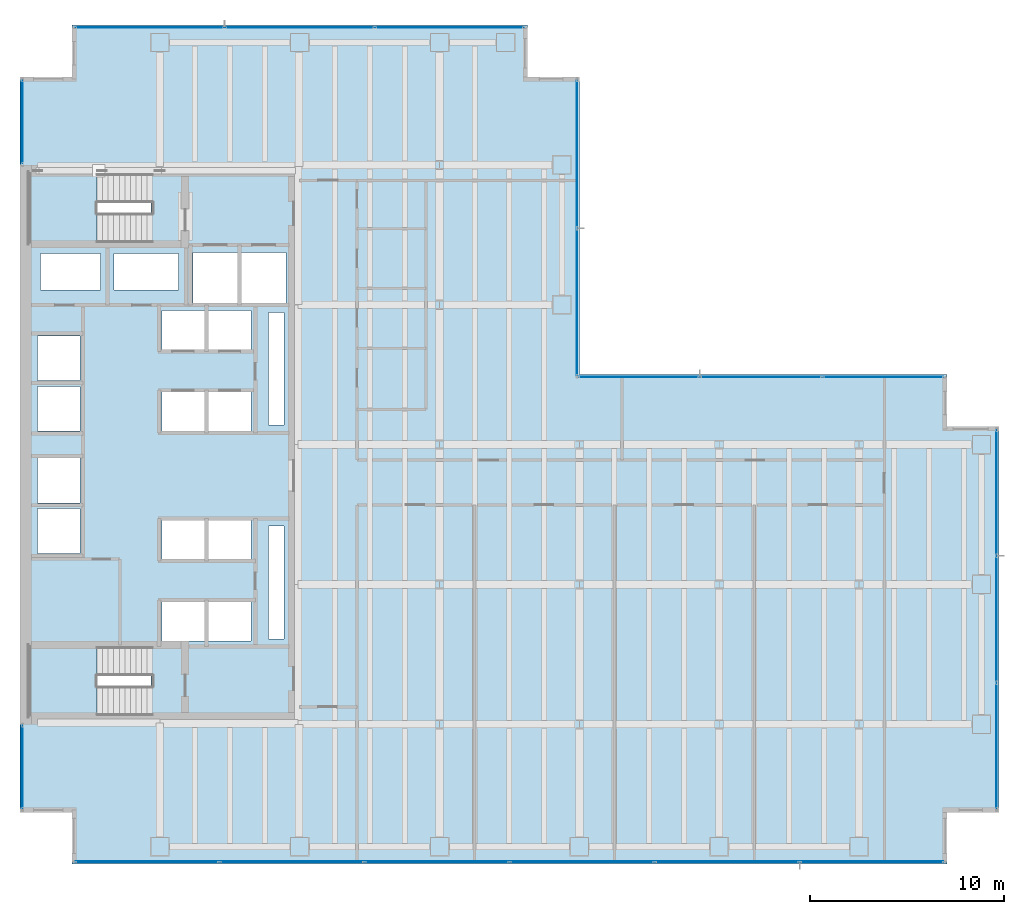
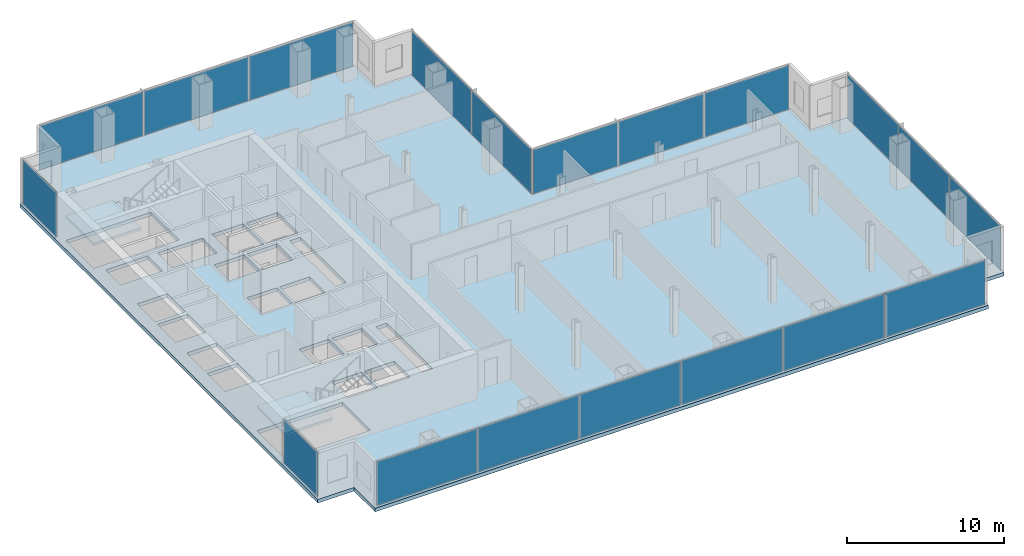
# One storey, part 19 of 25: 19 plates, 3 slabs, 20 openings, 9 elements without a shape of their own.
"""IFC4 building model written with IfcOpenShell, lengths in metres."""

from ifc_helpers import new_model, si_unit, direction, frame, origin, origin_2d, place, context, subcontext, project, spatial, polyline, rectangle, outline, extrude, material, layer, layer_set, type_object, element, aggregate, save


model = new_model("IFC4")

# Units and contexts
model_context = context("Model", 3, precision=1e-05, world=origin(), true_north=direction((0.0, 1.0)))
body_context = subcontext(model_context, "Body", "Model", "MODEL_VIEW")
ifc_project = project(units=[si_unit("LENGTHUNIT", "METRE"), si_unit("AREAUNIT", "SQUARE_METRE"), si_unit("VOLUMEUNIT", "CUBIC_METRE"), si_unit("PLANEANGLEUNIT", "RADIAN"), si_unit("MASSUNIT", "GRAM", prefix="KILO")], contexts=[model_context])

# Site, building, storey
site_placement = place(None, origin())
site = spatial("IfcSite", under=ifc_project, at=site_placement, CompositionType="ELEMENT")
building_placement = place(site_placement, origin())
building = spatial("IfcBuilding", under=site, at=building_placement, Name="Cobrela Telecom Tower", CompositionType="ELEMENT")
storey_placement = place(building_placement, frame((0.0, 0.0, 58.10009765625)))
storey = spatial("IfcBuildingStorey", under=building, at=storey_placement, Name="L14", CompositionType="ELEMENT", Elevation=58.10009765625)

# Curtain wall, plate
ifc_material_1 = material(Name="Anodized Bronze Aluminium 6063-T6", Category="aluminium")
curtain_wall_type = type_object("IfcCurtainWallType", Name="CW-SYS-DATA", PredefinedType="USERDEFINED", material=ifc_material_1)
curtain_wall_1_placement = place(storey_placement, origin())
curtain_wall_1 = element("IfcCurtainWall", 1, at=curtain_wall_1_placement, inside=storey, type_object=curtain_wall_type, Name="L14 Unitised Bronze Curtain Wall 03", ObjectType="UNITISED CURTAIN WALL", PredefinedType="USERDEFINED")
ifc_material_2 = material(Name="Solar-Control Bronze Low-E Glass", Category="glass")
ifc_layer_1 = layer(ifc_material_2, 0.0380859375)
ifc_layer_set_1 = layer_set([ifc_layer_1], Name="Solar-Control Bronze Low-E Glass")
plate_type = type_object("IfcPlateType", Name="CW-SYS-DATA-PNL", PredefinedType="CURTAIN_PANEL", material=ifc_layer_set_1)
plate_1_placement = place(storey_placement, frame((0.1201171875, 4.9951171875, 0.074951171875), z_axis=(0.0, 0.0, 1.0), x_axis=(0.0, 1.0, 0.0)))
plate_1 = element("IfcPlate", 2, at=plate_1_placement, type_object=plate_type, Name="CW-DATA panel 1.1", PredefinedType="CURTAIN_PANEL", context=body_context, shape_type="SweptSolid", body=[
    extrude(rectangle(XDim=4.25, YDim=0.0380859375, at=origin_2d()), origin(), (0.0, 0.0, 1.0), 3.419921875),
])
aggregate(curtain_wall_1, [plate_1])

curtain_wall_2_placement = place(storey_placement, origin())
curtain_wall_2 = element("IfcCurtainWall", 3, at=curtain_wall_2_placement, inside=storey, type_object=curtain_wall_type, Name="L14 Unitised Bronze Curtain Wall 04", ObjectType="UNITISED CURTAIN WALL", PredefinedType="USERDEFINED")
plate_2_placement = place(storey_placement, frame((0.1201171875, 38.205078125, 0.074951171875), z_axis=(0.0, 0.0, 1.0), x_axis=(0.0, 1.0, 0.0)))
plate_2 = element("IfcPlate", 4, at=plate_2_placement, type_object=plate_type, Name="CW-DATA panel 1.1", PredefinedType="CURTAIN_PANEL", context=body_context, shape_type="SweptSolid", body=[
    extrude(rectangle(XDim=4.25, YDim=0.0380859375, at=origin_2d()), origin(), (0.0, 0.0, 1.0), 3.419921875),
])
aggregate(curtain_wall_2, [plate_2])

# Curtain wall, plates
curtain_wall_3_placement = place(storey_placement, origin())
curtain_wall_3 = element("IfcCurtainWall", 5, at=curtain_wall_3_placement, inside=storey, type_object=curtain_wall_type, Name="L14 Unitised Bronze Curtain Wall 07", ObjectType="UNITISED CURTAIN WALL", PredefinedType="USERDEFINED")
plate_3_placement = place(storey_placement, frame((6.679931640625, 43.080078125, 0.074951171875), z_axis=(0.0, 0.0, 1.0), x_axis=(1.0, 0.0, 0.0)))
plate_3 = element("IfcPlate", 6, at=plate_3_placement, type_object=plate_type, Name="CW-DATA panel 1.1", PredefinedType="CURTAIN_PANEL", context=body_context, shape_type="SweptSolid", body=[
    extrude(rectangle(XDim=7.6201171875, YDim=0.0380859375, at=origin_2d()), origin(), (0.0, 0.0, 1.0), 3.419921875),
])
plate_4_placement = place(storey_placement, frame((14.39990234375, 43.080078125, 0.074951171875), z_axis=(0.0, 0.0, 1.0), x_axis=(1.0, 0.0, 0.0)))
plate_4 = element("IfcPlate", 7, at=plate_4_placement, type_object=plate_type, Name="CW-DATA panel 2.1", PredefinedType="CURTAIN_PANEL", context=body_context, shape_type="SweptSolid", body=[
    extrude(rectangle(XDim=7.659912109375, YDim=0.0380859375, at=origin_2d()), origin(), (0.0, 0.0, 1.0), 3.419921875),
])
plate_5_placement = place(storey_placement, frame((22.1201171875, 43.080078125, 0.074951171875), z_axis=(0.0, 0.0, 1.0), x_axis=(1.0, 0.0, 0.0)))
plate_5 = element("IfcPlate", 8, at=plate_5_placement, type_object=plate_type, Name="CW-DATA panel 3.1", PredefinedType="CURTAIN_PANEL", context=body_context, shape_type="SweptSolid", body=[
    extrude(rectangle(XDim=7.6201171875, YDim=0.0380859375, at=origin_2d()), origin(), (0.0, 0.0, 1.0), 3.419921875),
])
aggregate(curtain_wall_3, [plate_3, plate_4, plate_5])

curtain_wall_4_placement = place(storey_placement, origin())
curtain_wall_4 = element("IfcCurtainWall", 9, at=curtain_wall_4_placement, inside=storey, type_object=curtain_wall_type, Name="L14 Unitised Bronze Curtain Wall 10", ObjectType="UNITISED CURTAIN WALL", PredefinedType="USERDEFINED")
plate_6_placement = place(storey_placement, frame((28.679931640625, 36.5576171875, 0.074951171875), z_axis=(0.0, 0.0, 1.0), x_axis=(0.0, -1.0, 0.0)))
plate_6 = element("IfcPlate", 10, at=plate_6_placement, type_object=plate_type, Name="CW-DATA panel 1.1", PredefinedType="CURTAIN_PANEL", context=body_context, shape_type="SweptSolid", body=[
    extrude(rectangle(XDim=7.544921875, YDim=0.0380859375, at=origin_2d()), origin(), (0.0, 0.0, 1.0), 3.419921875),
])
plate_7_placement = place(storey_placement, frame((28.679931640625, 28.9326171875, 0.074951171875), z_axis=(0.0, 0.0, 1.0), x_axis=(0.0, -1.0, 0.0)))
plate_7 = element("IfcPlate", 11, at=plate_7_placement, type_object=plate_type, Name="CW-DATA panel 2.1", PredefinedType="CURTAIN_PANEL", context=body_context, shape_type="SweptSolid", body=[
    extrude(rectangle(XDim=7.544921875, YDim=0.0380859375, at=origin_2d()), origin(), (0.0, 0.0, 1.0), 3.419921875),
])
aggregate(curtain_wall_4, [plate_6, plate_7])

curtain_wall_5_placement = place(storey_placement, origin())
curtain_wall_5 = element("IfcCurtainWall", 12, at=curtain_wall_5_placement, inside=storey, type_object=curtain_wall_type, Name="L14 Unitised Bronze Curtain Wall 11", ObjectType="UNITISED CURTAIN WALL", PredefinedType="USERDEFINED")
plate_8_placement = place(storey_placement, frame((31.85498046875, 25.080078125, 0.074951171875), z_axis=(0.0, 0.0, 1.0), x_axis=(1.0, 0.0, 0.0)))
plate_8 = element("IfcPlate", 13, at=plate_8_placement, type_object=plate_type, Name="CW-DATA panel 1.1", PredefinedType="CURTAIN_PANEL", context=body_context, shape_type="SweptSolid", body=[
    extrude(rectangle(XDim=6.18994140625, YDim=0.0380859375, at=origin_2d()), origin(), (0.0, 0.0, 1.0), 3.419921875),
])
plate_9_placement = place(storey_placement, frame((38.14501953125, 25.080078125, 0.074951171875), z_axis=(0.0, 0.0, 1.0), x_axis=(1.0, 0.0, 0.0)))
plate_9 = element("IfcPlate", 14, at=plate_9_placement, type_object=plate_type, Name="CW-DATA panel 2.1", PredefinedType="CURTAIN_PANEL", context=body_context, shape_type="SweptSolid", body=[
    extrude(rectangle(XDim=6.22998046875, YDim=0.0380859375, at=origin_2d()), origin(), (0.0, 0.0, 1.0), 3.419921875),
])
plate_10_placement = place(storey_placement, frame((44.43505859375, 25.080078125, 0.074951171875), z_axis=(0.0, 0.0, 1.0), x_axis=(1.0, 0.0, 0.0)))
plate_10 = element("IfcPlate", 15, at=plate_10_placement, type_object=plate_type, Name="CW-DATA panel 3.1", PredefinedType="CURTAIN_PANEL", context=body_context, shape_type="SweptSolid", body=[
    extrude(rectangle(XDim=6.18994140625, YDim=0.0380859375, at=origin_2d()), origin(), (0.0, 0.0, 1.0), 3.419921875),
])
aggregate(curtain_wall_5, [plate_8, plate_9, plate_10])

curtain_wall_6_placement = place(storey_placement, origin())
curtain_wall_6 = element("IfcCurtainWall", 16, at=curtain_wall_6_placement, inside=storey, type_object=curtain_wall_type, Name="L14 Unitised Bronze Curtain Wall 14", ObjectType="UNITISED CURTAIN WALL", PredefinedType="USERDEFINED")
plate_11_placement = place(storey_placement, frame((50.280029296875, 19.1201171875, 0.074951171875), z_axis=(0.0, 0.0, 1.0), x_axis=(0.0, -1.0, 0.0)))
plate_11 = element("IfcPlate", 17, at=plate_11_placement, type_object=plate_type, Name="CW-DATA panel 1.1", PredefinedType="CURTAIN_PANEL", context=body_context, shape_type="SweptSolid", body=[
    extrude(rectangle(XDim=6.419921875, YDim=0.0380859375, at=origin_2d()), origin(), (0.0, 0.0, 1.0), 3.419921875),
])
plate_12_placement = place(storey_placement, frame((50.280029296875, 12.60009765625, 0.074951171875), z_axis=(0.0, 0.0, 1.0), x_axis=(0.0, -1.0, 0.0)))
plate_12 = element("IfcPlate", 18, at=plate_12_placement, type_object=plate_type, Name="CW-DATA panel 2.1", PredefinedType="CURTAIN_PANEL", context=body_context, shape_type="SweptSolid", body=[
    extrude(rectangle(XDim=6.4599609375, YDim=0.0380859375, at=origin_2d()), origin(), (0.0, 0.0, 1.0), 3.419921875),
])
plate_13_placement = place(storey_placement, frame((50.280029296875, 6.080078125, 0.074951171875), z_axis=(0.0, 0.0, 1.0), x_axis=(0.0, -1.0, 0.0)))
plate_13 = element("IfcPlate", 19, at=plate_13_placement, type_object=plate_type, Name="CW-DATA panel 3.1", PredefinedType="CURTAIN_PANEL", context=body_context, shape_type="SweptSolid", body=[
    extrude(rectangle(XDim=6.419921875, YDim=0.0380859375, at=origin_2d()), origin(), (0.0, 0.0, 1.0), 3.419921875),
])
aggregate(curtain_wall_6, [plate_11, plate_12, plate_13])

curtain_wall_7_placement = place(storey_placement, origin())
curtain_wall_7 = element("IfcCurtainWall", 20, at=curtain_wall_7_placement, inside=storey, type_object=curtain_wall_type, Name="L14 Unitised Bronze Curtain Wall 17", ObjectType="UNITISED CURTAIN WALL", PredefinedType="USERDEFINED")
plate_14_placement = place(storey_placement, frame((43.85498046875, 0.1201171875, 0.074951171875), z_axis=(0.0, 0.0, 1.0), x_axis=(-1.0, 0.0, 0.0)))
plate_14 = element("IfcPlate", 21, at=plate_14_placement, type_object=plate_type, Name="CW-DATA panel 1.1", PredefinedType="CURTAIN_PANEL", context=body_context, shape_type="SweptSolid", body=[
    extrude(rectangle(XDim=7.35009765625, YDim=0.0380859375, at=origin_2d()), origin(), (0.0, 0.0, 1.0), 3.419921875),
])
plate_15_placement = place(storey_placement, frame((36.405029296875, 0.1201171875, 0.074951171875), z_axis=(0.0, 0.0, 1.0), x_axis=(-1.0, 0.0, 0.0)))
plate_15 = element("IfcPlate", 22, at=plate_15_placement, type_object=plate_type, Name="CW-DATA panel 2.1", PredefinedType="CURTAIN_PANEL", context=body_context, shape_type="SweptSolid", body=[
    extrude(rectangle(XDim=7.389892578125, YDim=0.0380859375, at=origin_2d()), origin(), (0.0, 0.0, 1.0), 3.419921875),
])
plate_16_placement = place(storey_placement, frame((28.93505859375, 0.1201171875, 0.074951171875), z_axis=(0.0, 0.0, 1.0), x_axis=(-1.0, 0.0, 0.0)))
plate_16 = element("IfcPlate", 23, at=plate_16_placement, type_object=plate_type, Name="CW-DATA panel 3.1", PredefinedType="CURTAIN_PANEL", context=body_context, shape_type="SweptSolid", body=[
    extrude(rectangle(XDim=7.389892578125, YDim=0.0380859375, at=origin_2d()), origin(), (0.0, 0.0, 1.0), 3.419921875),
])
plate_17_placement = place(storey_placement, frame((21.465087890625, 0.1201171875, 0.074951171875), z_axis=(0.0, 0.0, 1.0), x_axis=(-1.0, 0.0, 0.0)))
plate_17 = element("IfcPlate", 24, at=plate_17_placement, type_object=plate_type, Name="CW-DATA panel 4.1", PredefinedType="CURTAIN_PANEL", context=body_context, shape_type="SweptSolid", body=[
    extrude(rectangle(XDim=7.389892578125, YDim=0.0380859375, at=origin_2d()), origin(), (0.0, 0.0, 1.0), 3.419921875),
])
plate_18_placement = place(storey_placement, frame((13.9951171875, 0.1201171875, 0.074951171875), z_axis=(0.0, 0.0, 1.0), x_axis=(-1.0, 0.0, 0.0)))
plate_18 = element("IfcPlate", 25, at=plate_18_placement, type_object=plate_type, Name="CW-DATA panel 5.1", PredefinedType="CURTAIN_PANEL", context=body_context, shape_type="SweptSolid", body=[
    extrude(rectangle(XDim=7.389892578125, YDim=0.0380859375, at=origin_2d()), origin(), (0.0, 0.0, 1.0), 3.419921875),
])
plate_19_placement = place(storey_placement, frame((6.544921875, 0.1201171875, 0.074951171875), z_axis=(0.0, 0.0, 1.0), x_axis=(-1.0, 0.0, 0.0)))
plate_19 = element("IfcPlate", 26, at=plate_19_placement, type_object=plate_type, Name="CW-DATA panel 6.1", PredefinedType="CURTAIN_PANEL", context=body_context, shape_type="SweptSolid", body=[
    extrude(rectangle(XDim=7.35009765625, YDim=0.0380859375, at=origin_2d()), origin(), (0.0, 0.0, 1.0), 3.419921875),
])
aggregate(curtain_wall_7, [plate_14, plate_15, plate_16, plate_17, plate_18, plate_19])

# Slab, openings
ifc_material_3 = material(Name="Concrete C40/50", Category="concrete")
ifc_layer_2 = layer(ifc_material_3, 0.280029296875)
ifc_layer_set_2 = layer_set([ifc_layer_2], Name="Concrete C40/50")
slab_type_1 = type_object("IfcSlabType", Name="SLAB-FLR-280", PredefinedType="FLOOR", material=ifc_layer_set_2)
slab_1_placement = place(storey_placement, frame((0.0, 0.0, -0.280029296875)))
slab_1 = element("IfcSlab", 27, at=slab_1_placement, inside=storey, type_object=slab_type_1, Name="L14 Structural Floor Slab", PredefinedType="FLOOR", context=body_context, shape_type="SweptSolid", body=[
    extrude(outline(polyline([(2.669921875, 0.0), (47.72998046875, 0.0), (47.72998046875, 2.669921875), (50.39990234375, 2.669921875), (50.39990234375, 22.530029296875), (47.72998046875, 22.530029296875), (47.72998046875, 25.199951171875), (28.800048828125, 25.199951171875), (28.800048828125, 40.530029296875), (26.1298828125, 40.530029296875), (26.1298828125, 43.199951171875), (2.669921875, 43.199951171875), (2.669921875, 40.530029296875), (0.0, 40.530029296875), (0.0, 2.669921875), (2.669921875, 2.669921875), (2.669921875, 0.0)])), origin(), (0.0, 0.0, 1.0), 0.280029296875),
])
opening_1_placement = place(slab_1_placement, frame((0.0, 0.0, -0.02001953125)))
element("IfcOpeningElement", 28, at=opening_1_placement, cuts=slab_1, Name="Slab Shaft Opening SLAB-L14-MAIN.1", PredefinedType="OPENING", context=body_context, shape_type="SweptSolid", body=[
    extrude(outline(polyline([(8.89990234375, 28.89990234375), (11.199951171875, 28.89990234375), (11.199951171875, 31.5), (8.89990234375, 31.5), (8.89990234375, 28.89990234375)])), origin(), (0.0, 0.0, 1.0), 0.320068359375),
])
opening_2_placement = place(slab_1_placement, frame((0.0, 0.0, -0.02001953125)))
element("IfcOpeningElement", 29, at=opening_2_placement, cuts=slab_1, Name="Slab Shaft Opening SLAB-L14-MAIN.2", PredefinedType="OPENING", context=body_context, shape_type="SweptSolid", body=[
    extrude(outline(polyline([(11.39990234375, 28.89990234375), (13.699951171875, 28.89990234375), (13.699951171875, 31.5), (11.39990234375, 31.5), (11.39990234375, 28.89990234375)])), origin(), (0.0, 0.0, 1.0), 0.320068359375),
])
opening_3_placement = place(slab_1_placement, frame((0.0, 0.0, -0.02001953125)))
element("IfcOpeningElement", 30, at=opening_3_placement, cuts=slab_1, Name="Slab Shaft Opening SLAB-L14-MAIN.3", PredefinedType="OPENING", context=body_context, shape_type="SweptSolid", body=[
    extrude(outline(polyline([(7.300048828125, 22.300048828125), (9.5, 22.300048828125), (9.5, 24.300048828125), (7.300048828125, 24.300048828125), (7.300048828125, 22.300048828125)])), origin(), (0.0, 0.0, 1.0), 0.320068359375),
])
opening_4_placement = place(slab_1_placement, frame((0.0, 0.0, -0.02001953125)))
element("IfcOpeningElement", 31, at=opening_4_placement, cuts=slab_1, Name="Slab Shaft Opening SLAB-L14-MAIN.4", PredefinedType="OPENING", context=body_context, shape_type="SweptSolid", body=[
    extrude(outline(polyline([(9.699951171875, 22.300048828125), (11.89990234375, 22.300048828125), (11.89990234375, 24.300048828125), (9.699951171875, 24.300048828125), (9.699951171875, 22.300048828125)])), origin(), (0.0, 0.0, 1.0), 0.320068359375),
])
opening_5_placement = place(slab_1_placement, frame((0.0, 0.0, -0.02001953125)))
element("IfcOpeningElement", 32, at=opening_5_placement, cuts=slab_1, Name="Slab Shaft Opening SLAB-L14-MAIN.5", PredefinedType="OPENING", context=body_context, shape_type="SweptSolid", body=[
    extrude(outline(polyline([(7.300048828125, 26.5), (9.5, 26.5), (9.5, 28.5), (7.300048828125, 28.5), (7.300048828125, 26.5)])), origin(), (0.0, 0.0, 1.0), 0.320068359375),
])
opening_6_placement = place(slab_1_placement, frame((0.0, 0.0, -0.02001953125)))
element("IfcOpeningElement", 33, at=opening_6_placement, cuts=slab_1, Name="Slab Shaft Opening SLAB-L14-MAIN.6", PredefinedType="OPENING", context=body_context, shape_type="SweptSolid", body=[
    extrude(outline(polyline([(9.699951171875, 26.5), (11.89990234375, 26.5), (11.89990234375, 28.5), (9.699951171875, 28.5), (9.699951171875, 26.5)])), origin(), (0.0, 0.0, 1.0), 0.320068359375),
])
opening_7_placement = place(slab_1_placement, frame((0.0, 0.0, -0.02001953125)))
element("IfcOpeningElement", 34, at=opening_7_placement, cuts=slab_1, Name="Slab Shaft Opening SLAB-L14-MAIN.7", PredefinedType="OPENING", context=body_context, shape_type="SweptSolid", body=[
    extrude(outline(polyline([(7.300048828125, 15.699951171875), (9.5, 15.699951171875), (9.5, 17.699951171875), (7.300048828125, 17.699951171875), (7.300048828125, 15.699951171875)])), origin(), (0.0, 0.0, 1.0), 0.320068359375),
])
opening_8_placement = place(slab_1_placement, frame((0.0, 0.0, -0.02001953125)))
element("IfcOpeningElement", 35, at=opening_8_placement, cuts=slab_1, Name="Slab Shaft Opening SLAB-L14-MAIN.8", PredefinedType="OPENING", context=body_context, shape_type="SweptSolid", body=[
    extrude(outline(polyline([(9.699951171875, 15.699951171875), (11.89990234375, 15.699951171875), (11.89990234375, 17.699951171875), (9.699951171875, 17.699951171875), (9.699951171875, 15.699951171875)])), origin(), (0.0, 0.0, 1.0), 0.320068359375),
])
opening_9_placement = place(slab_1_placement, frame((0.0, 0.0, -0.02001953125)))
element("IfcOpeningElement", 36, at=opening_9_placement, cuts=slab_1, Name="Slab Shaft Opening SLAB-L14-MAIN.9", PredefinedType="OPENING", context=body_context, shape_type="SweptSolid", body=[
    extrude(outline(polyline([(7.300048828125, 11.5), (9.5, 11.5), (9.5, 13.5), (7.300048828125, 13.5), (7.300048828125, 11.5)])), origin(), (0.0, 0.0, 1.0), 0.320068359375),
])
opening_10_placement = place(slab_1_placement, frame((0.0, 0.0, -0.02001953125)))
element("IfcOpeningElement", 37, at=opening_10_placement, cuts=slab_1, Name="Slab Shaft Opening SLAB-L14-MAIN.10", PredefinedType="OPENING", context=body_context, shape_type="SweptSolid", body=[
    extrude(outline(polyline([(9.699951171875, 11.5), (11.89990234375, 11.5), (11.89990234375, 13.5), (9.699951171875, 13.5), (9.699951171875, 11.5)])), origin(), (0.0, 0.0, 1.0), 0.320068359375),
])
opening_11_placement = place(slab_1_placement, frame((0.0, 0.0, -0.02001953125)))
element("IfcOpeningElement", 38, at=opening_11_placement, cuts=slab_1, Name="Slab Shaft Opening SLAB-L14-MAIN.11", PredefinedType="OPENING", context=body_context, shape_type="SweptSolid", body=[
    extrude(outline(polyline([(0.89990234375, 16.0), (3.10009765625, 16.0), (3.10009765625, 18.300048828125), (0.89990234375, 18.300048828125), (0.89990234375, 16.0)])), origin(), (0.0, 0.0, 1.0), 0.320068359375),
])
opening_12_placement = place(slab_1_placement, frame((0.0, 0.0, -0.02001953125)))
element("IfcOpeningElement", 39, at=opening_12_placement, cuts=slab_1, Name="Slab Shaft Opening SLAB-L14-MAIN.12", PredefinedType="OPENING", context=body_context, shape_type="SweptSolid", body=[
    extrude(outline(polyline([(0.89990234375, 18.60009765625), (3.10009765625, 18.60009765625), (3.10009765625, 20.89990234375), (0.89990234375, 20.89990234375), (0.89990234375, 18.60009765625)])), origin(), (0.0, 0.0, 1.0), 0.320068359375),
])
opening_13_placement = place(slab_1_placement, frame((0.0, 0.0, -0.02001953125)))
element("IfcOpeningElement", 40, at=opening_13_placement, cuts=slab_1, Name="Slab Shaft Opening SLAB-L14-MAIN.13", PredefinedType="OPENING", context=body_context, shape_type="SweptSolid", body=[
    extrude(outline(polyline([(0.89990234375, 22.300048828125), (3.10009765625, 22.300048828125), (3.10009765625, 24.60009765625), (0.89990234375, 24.60009765625), (0.89990234375, 22.300048828125)])), origin(), (0.0, 0.0, 1.0), 0.320068359375),
])
opening_14_placement = place(slab_1_placement, frame((0.0, 0.0, -0.02001953125)))
element("IfcOpeningElement", 41, at=opening_14_placement, cuts=slab_1, Name="Slab Shaft Opening SLAB-L14-MAIN.14", PredefinedType="OPENING", context=body_context, shape_type="SweptSolid", body=[
    extrude(outline(polyline([(0.89990234375, 24.89990234375), (3.10009765625, 24.89990234375), (3.10009765625, 27.199951171875), (0.89990234375, 27.199951171875), (0.89990234375, 24.89990234375)])), origin(), (0.0, 0.0, 1.0), 0.320068359375),
])
opening_15_placement = place(slab_1_placement, frame((0.0, 0.0, -0.02001953125)))
element("IfcOpeningElement", 42, at=opening_15_placement, cuts=slab_1, Name="Slab Shaft Opening SLAB-L14-MAIN.15", PredefinedType="OPENING", context=body_context, shape_type="SweptSolid", body=[
    extrude(outline(polyline([(1.050048828125, 29.550048828125), (4.14990234375, 29.550048828125), (4.14990234375, 31.449951171875), (1.050048828125, 31.449951171875), (1.050048828125, 29.550048828125)])), origin(), (0.0, 0.0, 1.0), 0.320068359375),
])
opening_16_placement = place(slab_1_placement, frame((0.0, 0.0, -0.02001953125)))
element("IfcOpeningElement", 43, at=opening_16_placement, cuts=slab_1, Name="Slab Shaft Opening SLAB-L14-MAIN.16", PredefinedType="OPENING", context=body_context, shape_type="SweptSolid", body=[
    extrude(outline(polyline([(4.85009765625, 29.550048828125), (8.14990234375, 29.550048828125), (8.14990234375, 31.449951171875), (4.85009765625, 31.449951171875), (4.85009765625, 29.550048828125)])), origin(), (0.0, 0.0, 1.0), 0.320068359375),
])
opening_17_placement = place(slab_1_placement, frame((0.0, 0.0, -0.02001953125)))
element("IfcOpeningElement", 44, at=opening_17_placement, cuts=slab_1, Name="Slab Shaft Opening SLAB-L14-MAIN.17", PredefinedType="OPENING", context=body_context, shape_type="SweptSolid", body=[
    extrude(outline(polyline([(12.800048828125, 22.60009765625), (13.60009765625, 22.60009765625), (13.60009765625, 28.39990234375), (12.800048828125, 28.39990234375), (12.800048828125, 22.60009765625)])), origin(), (0.0, 0.0, 1.0), 0.320068359375),
])
opening_18_placement = place(slab_1_placement, frame((0.0, 0.0, -0.02001953125)))
element("IfcOpeningElement", 45, at=opening_18_placement, cuts=slab_1, Name="Slab Shaft Opening SLAB-L14-MAIN.18", PredefinedType="OPENING", context=body_context, shape_type="SweptSolid", body=[
    extrude(outline(polyline([(12.800048828125, 11.60009765625), (13.60009765625, 11.60009765625), (13.60009765625, 17.39990234375), (12.800048828125, 17.39990234375), (12.800048828125, 11.60009765625)])), origin(), (0.0, 0.0, 1.0), 0.320068359375),
])
opening_19_placement = place(slab_1_placement, frame((0.0, 0.0, -0.02001953125)))
element("IfcOpeningElement", 46, at=opening_19_placement, cuts=slab_1, Name="Slab Shaft Opening SLAB-L14-MAIN.19", PredefinedType="OPENING", context=body_context, shape_type="SweptSolid", body=[
    extrude(outline(polyline([(6.7548828125, 35.550048828125), (0.47998046875, 35.550048828125), (0.47998046875, 32.0), (6.7548828125, 32.0), (6.7548828125, 35.550048828125)])), origin(), (0.0, 0.0, 1.0), 0.320068359375),
])
opening_20_placement = place(slab_1_placement, frame((0.0, 0.0, -0.02001953125)))
element("IfcOpeningElement", 47, at=opening_20_placement, cuts=slab_1, Name="Slab Shaft Opening SLAB-L14-MAIN.20", PredefinedType="OPENING", context=body_context, shape_type="SweptSolid", body=[
    extrude(outline(polyline([(6.7548828125, 11.199951171875), (0.47998046875, 11.199951171875), (0.47998046875, 7.64990234375), (6.7548828125, 7.64990234375), (6.7548828125, 11.199951171875)])), origin(), (0.0, 0.0, 1.0), 0.320068359375),
])

# Stair, slab
stair_type = type_object("IfcStairType", Name="STAIR-CORE", PredefinedType="HALF_TURN_STAIR", material=ifc_material_3)
stair_1_placement = place(storey_placement, origin())
stair_1 = element("IfcStair", 48, at=stair_1_placement, inside=storey, type_object=stair_type, Name="L14 Smokeproof Exit Stair ST1", PredefinedType="HALF_TURN_STAIR")
ifc_layer_3 = layer(ifc_material_3, 0.199951171875)
ifc_layer_set_3 = layer_set([ifc_layer_3], Name="Concrete C40/50")
slab_type_2 = type_object("IfcSlabType", Name="SLAB-LAND-200", PredefinedType="LANDING", material=ifc_layer_set_3)
slab_2_placement = place(storey_placement, frame((0.0, 0.0, 1.724853515625)))
slab_2 = element("IfcSlab", 49, at=slab_2_placement, type_object=slab_type_2, Name="ST1 landing 1", PredefinedType="LANDING", context=body_context, shape_type="SweptSolid", body=[
    extrude(outline(polyline([(3.969970703125, 35.550048828125), (0.47998046875, 35.550048828125), (0.47998046875, 32.0), (3.969970703125, 32.0), (3.969970703125, 35.550048828125)])), origin(), (0.0, 0.0, 1.0), 0.199951171875),
])
aggregate(stair_1, [slab_2])

stair_2_placement = place(storey_placement, origin())
stair_2 = element("IfcStair", 50, at=stair_2_placement, inside=storey, type_object=stair_type, Name="L14 Smokeproof Exit Stair ST2", PredefinedType="HALF_TURN_STAIR")
slab_3_placement = place(storey_placement, frame((0.0, 0.0, 1.724853515625)))
slab_3 = element("IfcSlab", 51, at=slab_3_placement, type_object=slab_type_2, Name="ST2 landing 1", PredefinedType="LANDING", context=body_context, shape_type="SweptSolid", body=[
    extrude(outline(polyline([(3.969970703125, 11.199951171875), (0.47998046875, 11.199951171875), (0.47998046875, 7.64990234375), (3.969970703125, 7.64990234375), (3.969970703125, 11.199951171875)])), origin(), (0.0, 0.0, 1.0), 0.199951171875),
])
aggregate(stair_2, [slab_3])

save(model, "model.ifc")
